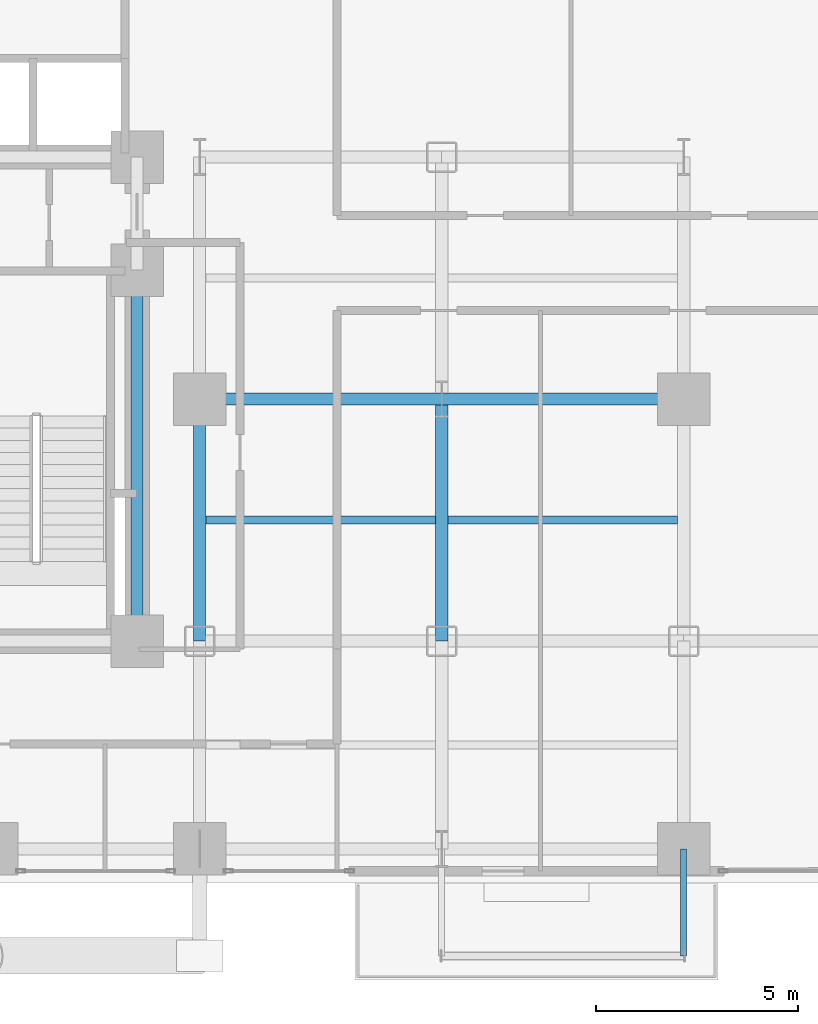
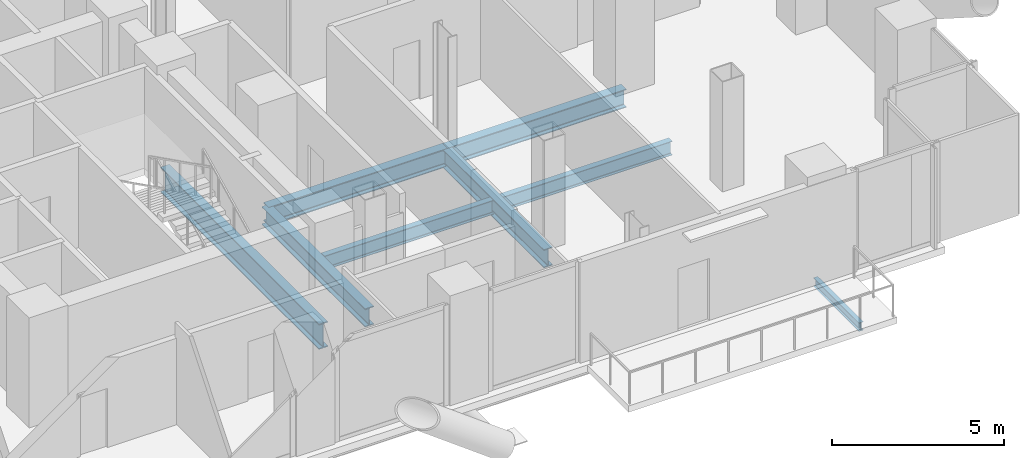
# One storey, part 9 of 27: 8 beams.
"""IFC4 building model written with IfcOpenShell, lengths in metres."""

from ifc_helpers import new_model, si_unit, direction, frame, origin, origin_2d, place, context, subcontext, project, spatial, i_section, extrude, material, material_profile, profile_set, type_object, element, save


model = new_model("IFC4")

# Units and contexts
model_context = context("Model", 3, precision=1e-05, world=origin(), true_north=direction((0.0, 1.0)))
body_context = subcontext(model_context, "Body", "Model", "MODEL_VIEW")
ifc_project = project(units=[si_unit("LENGTHUNIT", "METRE"), si_unit("AREAUNIT", "SQUARE_METRE"), si_unit("VOLUMEUNIT", "CUBIC_METRE"), si_unit("PLANEANGLEUNIT", "RADIAN"), si_unit("MASSUNIT", "GRAM", prefix="KILO"), si_unit("THERMODYNAMICTEMPERATUREUNIT", "KELVIN"), si_unit("POWERUNIT", "WATT")], contexts=[model_context])

# Site, building, storey
site_placement = place(None, origin())
site = spatial("IfcSite", under=ifc_project, at=site_placement, CompositionType="ELEMENT")
building_placement = place(site_placement, origin())
building = spatial("IfcBuilding", under=site, at=building_placement, Name="Svarakhadi Broadcast Tower", CompositionType="ELEMENT")
storey_placement = place(building_placement, frame((0.0, 0.0, 90.89990234375)))
storey = spatial("IfcBuildingStorey", under=building, at=storey_placement, Name="L21", CompositionType="ELEMENT", Elevation=90.89990234375)

# Beams
ifc_material_1 = material(Name="Steel S355J2 (IS 2062 E350C)", Category="steel")
ifc_material_profile_1 = material_profile(ifc_material_1, i_section(OverallWidth=0.199951171875, OverallDepth=0.5, WebThickness=0.01025390625, FlangeThickness=0.01611328125, FilletRadius=0.02099609375, at=origin_2d()), Name="NPB 500x200x91")
ifc_profile_set_1 = profile_set([ifc_material_profile_1], Name="Steel S355J2 (IS 2062 E350C)")
beam_type_1 = type_object("IfcBeamType", Name="Beam_NPB500", PredefinedType="BEAM", material=ifc_profile_set_1)
for number, where, z_axis, x_axis, name in (
    (1, (35.31005859375, 9.0, -0.5), (1.0, 0.0, 0.0), (0.0, 1.0, 0.0), "L21 Secondary Composite Beam SB023"),
    (2, (41.31005859375, 9.0, -0.5), (1.0, 0.0, 0.0), (0.0, 1.0, 0.0), "L21 Secondary Composite Beam SB026"),
):
    element("IfcBeam", number, at=place(storey_placement, frame(where, z_axis=z_axis, x_axis=x_axis)), inside=storey, type_object=beam_type_1, Name=name, PredefinedType="BEAM", context=body_context, shape_type="SweptSolid", body=[
        extrude(i_section(OverallWidth=0.199951171875, OverallDepth=0.5, WebThickness=0.01025390625, FlangeThickness=0.01611328125, FilletRadius=0.02099609375, at=origin_2d()), origin(), (0.0, 0.0, 1.0), 5.679931640625),
    ])
ifc_material_profile_2 = material_profile(ifc_material_1, i_section(OverallWidth=0.300048828125, OverallDepth=0.64990234375, WebThickness=0.01611328125, FlangeThickness=0.031005859375, FilletRadius=0.027099609375, at=origin_2d()), Name="WPB 650x300x225")
ifc_profile_set_2 = profile_set([ifc_material_profile_2], Name="Steel S355J2 (IS 2062 E350C)")
beam_type_2 = type_object("IfcBeamType", Name="Girder_WPB650", PredefinedType="USERDEFINED", material=ifc_profile_set_2)
for number, where, z_axis, x_axis, name in (
    (3, (35.14990234375, 12.0, -0.574951171875), (1.0, 0.0, 0.0), (0.0, 1.0, 0.0), "L21 Primary E-W Girder G023"),
    (4, (41.14990234375, 12.0, -0.574951171875), (1.0, 0.0, 0.0), (0.0, 1.0, 0.0), "L21 Primary E-W Girder G024"),
    (5, (35.14990234375, 6.0, -0.574951171875), (0.0, 1.0, 0.0), (-1.0, 0.0, 0.0), "L21 Primary N-S Girder G077"),
    (6, (41.14990234375, 6.0, -0.574951171875), (0.0, 1.0, 0.0), (-1.0, 0.0, 0.0), "L21 Primary N-S Girder G080"),
):
    element("IfcBeam", number, at=place(storey_placement, frame(where, z_axis=z_axis, x_axis=x_axis)), inside=storey, type_object=beam_type_2, Name=name, ObjectType="GIRDER", PredefinedType="USERDEFINED", context=body_context, shape_type="SweptSolid", body=[
        extrude(i_section(OverallWidth=0.300048828125, OverallDepth=0.64990234375, WebThickness=0.01611328125, FlangeThickness=0.031005859375, FilletRadius=0.027099609375, at=origin_2d()), origin(), (0.0, 0.0, 1.0), 6.0),
    ])
ifc_material_2 = material(Name="Steel S460ML (IS 2062 E450BR)", Category="steel")
ifc_material_profile_3 = material_profile(ifc_material_2, i_section(OverallWidth=0.300048828125, OverallDepth=0.89990234375, WebThickness=0.0185546875, FlangeThickness=0.034912109375, FilletRadius=0.030029296875, at=origin_2d()), Name="WPB 900x300x291")
ifc_profile_set_3 = profile_set([ifc_material_profile_3], Name="Steel S460ML (IS 2062 E450BR)")
beam_type_3 = type_object("IfcBeamType", Name="Girder_WPB900", PredefinedType="USERDEFINED", material=ifc_profile_set_3)
beam_1_placement = place(storey_placement, frame((33.60009765625, 6.0, -0.699951171875), z_axis=(0.0, 1.0, 0.0), x_axis=(-1.0, 0.0, 0.0)))
element("IfcBeam", 7, at=beam_1_placement, inside=storey, type_object=beam_type_3, Name="L21 Primary N-S Girder G074", ObjectType="GIRDER", PredefinedType="USERDEFINED", context=body_context, shape_type="SweptSolid", body=[
    extrude(i_section(OverallWidth=0.300048828125, OverallDepth=0.89990234375, WebThickness=0.0185546875, FlangeThickness=0.034912109375, FilletRadius=0.030029296875, at=origin_2d()), origin(), (0.0, 0.0, 1.0), 9.199951171875),
])
ifc_material_profile_4 = material_profile(ifc_material_1, i_section(OverallWidth=0.14990234375, OverallDepth=0.300048828125, WebThickness=0.007080078125, FlangeThickness=0.0107421875, FilletRadius=0.014892578125, at=origin_2d()), Name="NPB 300x150x37")
ifc_profile_set_4 = profile_set([ifc_material_profile_4], Name="Steel S355J2 (IS 2062 E350C)")
beam_type_4 = type_object("IfcBeamType", Name="Spandrel_NPB300", PredefinedType="SPANDREL", material=ifc_profile_set_4)
beam_2_placement = place(storey_placement, frame((47.14990234375, 0.85009765625, -0.39990234375), z_axis=(0.0, -1.0, 0.0), x_axis=(1.0, 0.0, 0.0)))
element("IfcBeam", 8, at=beam_2_placement, inside=storey, type_object=beam_type_4, Name="L21 Balcony Cantilever Bracket 1B", PredefinedType="SPANDREL", context=body_context, shape_type="SweptSolid", body=[
    extrude(i_section(OverallWidth=0.14990234375, OverallDepth=0.300048828125, WebThickness=0.007080078125, FlangeThickness=0.0107421875, FilletRadius=0.014892578125, at=origin_2d()), origin(), (0.0, 0.0, 1.0), 2.650146484375),
])

save(model, "model.ifc")
